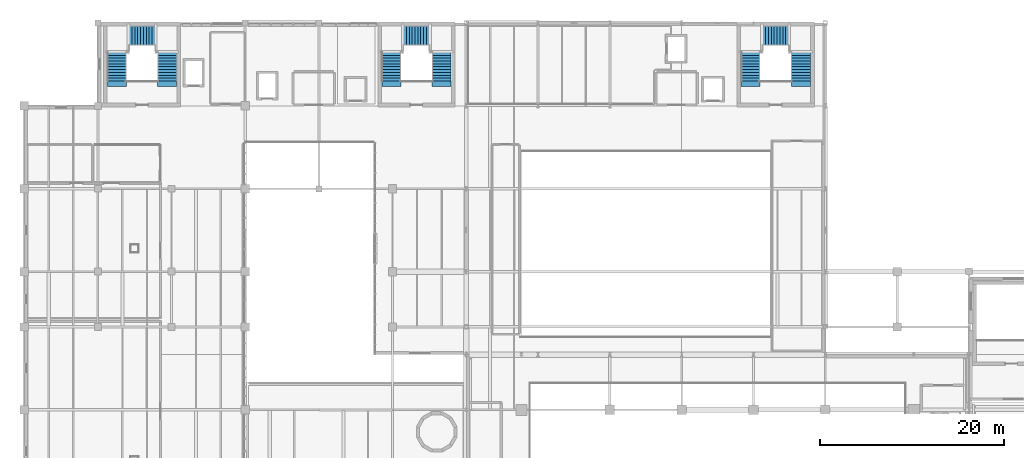
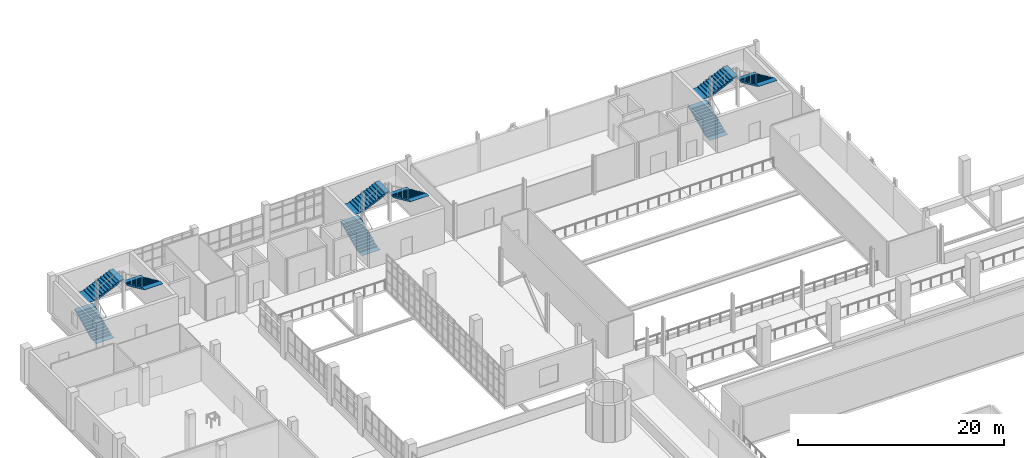
# One storey, part 81 of 85: 9 stair flights, 3 elements without a shape of their own.
"""IFC4 building model written with IfcOpenShell, lengths in metres."""

from ifc_helpers import new_model, si_unit, derived_unit, direction, frame, origin, place, context, subcontext, project, spatial, polyline, outline, extrude, material, type_object, element, aggregate, save


model = new_model("IFC4")

# Units and contexts
model_context = context("Model", 3, precision=1e-05, world=origin(), true_north=direction((0.0, 1.0)))
body_context = subcontext(model_context, "Body", "Model", "MODEL_VIEW")
ifc_project = project(units=[si_unit("LENGTHUNIT", "METRE"), si_unit("AREAUNIT", "SQUARE_METRE"), si_unit("VOLUMEUNIT", "CUBIC_METRE"), si_unit("PLANEANGLEUNIT", "RADIAN"), si_unit("MASSUNIT", "GRAM", prefix="KILO"), derived_unit("THERMALTRANSMITTANCEUNIT", [(si_unit("POWERUNIT", "WATT"), 1), (si_unit("LENGTHUNIT", "METRE"), -2), (si_unit("THERMODYNAMICTEMPERATUREUNIT", "KELVIN"), -1)])], contexts=[model_context])

# Site, building, storey
site_placement = place(None, origin())
site = spatial("IfcSite", under=ifc_project, at=site_placement, CompositionType="ELEMENT")
building_placement = place(site_placement, origin())
building = spatial("IfcBuilding", under=site, at=building_placement, Name="Nallur Shell Playhouse", CompositionType="ELEMENT")
storey_placement = place(building_placement, frame((0.0, 0.0, 19.800048828125)))
storey = spatial("IfcBuildingStorey", under=building, at=storey_placement, Name="L05", CompositionType="ELEMENT", Elevation=19.800048828125)

# Stair, stair flights
ifc_material = material(Name="Concrete M35", Category="concrete")
stair_type = type_object("IfcStairType", Name="ST-CORE-45", PredefinedType="THREE_QUARTER_TURN_STAIR", material=ifc_material)
stair_1_placement = place(storey_placement, origin())
stair_1 = element("IfcStair", 1, at=stair_1_placement, inside=storey, type_object=stair_type, Name="Core JC-4 exit stair ST-04-L05 (L05 to L06)", PredefinedType="THREE_QUARTER_TURN_STAIR")
stair_flight_type_1 = type_object("IfcStairFlightType", Name="ST-FLIGHT-208", PredefinedType="STRAIGHT", material=ifc_material)
stair_flight_1_placement = place(storey_placement, frame((94.8701171875, 76.699951171875, 0.0), z_axis=(0.0, 0.0, 1.0), x_axis=(0.0, 1.0, 0.0)))
stair_flight_1 = element("IfcStairFlight", 2, at=stair_flight_1_placement, type_object=stair_flight_type_1, Name="ST-45 flight 1", NumberOfRisers=11, NumberOfTreads=10, PredefinedType="STRAIGHT", RiserHeight=0.140625, TreadLength=0.31, context=body_context, shape_type="SweptSolid", body=[
    extrude(outline(polyline([(-0.580078125, 0.0), (-0.580078125, 0.01806640625), (0.0, 0.01806640625), (0.0, 0.140625), (0.31005859375, 0.140625), (0.31005859375, 0.28125), (0.6201171875, 0.28125), (0.6201171875, 0.421875), (0.929931640625, 0.421875), (0.929931640625, 0.5625), (1.239990234375, 0.5625), (1.239990234375, 0.703125), (1.550048828125, 0.703125), (1.550048828125, 0.84375), (1.860107421875, 0.84375), (1.860107421875, 0.984375), (2.169921875, 0.984375), (2.169921875, 1.125), (2.47998046875, 1.125), (2.47998046875, 1.265625), (2.7900390625, 1.265625), (2.7900390625, 1.40625), (3.10009765625, 1.40625), (3.10009765625, 1.546875), (3.68017578125, 1.546875), (3.68017578125, 1.52880859375), (3.10009765625, 1.230712890625), (0.38720703125, 0.0), (-0.580078125, 0.0)])), frame((0.0, 1.030029296875, 0.0), z_axis=(0.0, -1.0, 0.0), x_axis=(1.0, 0.0, 0.0)), (0.0, 0.0, 1.0), 2.06005859375),
])
stair_flight_2_placement = place(storey_placement, frame((96.205078125, 81.610107421875, 1.546875), z_axis=(0.0, 0.0, 1.0), x_axis=(1.0, 0.0, 0.0)))
stair_flight_2 = element("IfcStairFlight", 3, at=stair_flight_2_placement, type_object=stair_flight_type_1, Name="ST-45 flight 2", NumberOfRisers=10, NumberOfTreads=9, PredefinedType="STRAIGHT", RiserHeight=0.140625, TreadLength=0.31, context=body_context, shape_type="SweptSolid", body=[
    extrude(outline(polyline([(-0.580078125, 0.0), (-0.580078125, 0.01806640625), (0.0, 0.01806640625), (0.0, 0.140625), (0.31005859375, 0.140625), (0.31005859375, 0.28125), (0.6201171875, 0.28125), (0.6201171875, 0.421875), (0.929931640625, 0.421875), (0.929931640625, 0.5625), (1.239990234375, 0.5625), (1.239990234375, 0.703125), (1.550048828125, 0.703125), (1.550048828125, 0.84375), (1.860107421875, 0.84375), (1.860107421875, 0.984375), (2.169921875, 0.984375), (2.169921875, 1.125), (2.47998046875, 1.125), (2.47998046875, 1.265625), (2.7900390625, 1.265625), (2.7900390625, 1.40625), (3.3701171875, 1.40625), (3.3701171875, 1.38818359375), (2.7900390625, 1.090087890625), (0.38720703125, 0.0), (-0.580078125, 0.0)])), frame((0.0, 1.030029296875, 0.0), z_axis=(0.0, -1.0, 0.0), x_axis=(1.0, 0.0, 0.0)), (0.0, 0.0, 1.0), 2.06005859375),
])
stair_flight_3_placement = place(storey_placement, frame((100.330078125, 79.800048828125, 2.953125), z_axis=(0.0, 0.0, 1.0), x_axis=(0.0, -1.0, 0.0)))
stair_flight_3 = element("IfcStairFlight", 4, at=stair_flight_3_placement, type_object=stair_flight_type_1, Name="ST-45 flight 3", NumberOfRisers=11, NumberOfTreads=10, PredefinedType="STRAIGHT", RiserHeight=0.140625, TreadLength=0.31, context=body_context, shape_type="SweptSolid", body=[
    extrude(outline(polyline([(-0.580078125, 0.0), (-0.580078125, 0.01806640625), (0.0, 0.01806640625), (0.0, 0.140625), (0.31005859375, 0.140625), (0.31005859375, 0.28125), (0.6201171875, 0.28125), (0.6201171875, 0.421875), (0.929931640625, 0.421875), (0.929931640625, 0.5625), (1.239990234375, 0.5625), (1.239990234375, 0.703125), (1.550048828125, 0.703125), (1.550048828125, 0.84375), (1.860107421875, 0.84375), (1.860107421875, 0.984375), (2.169921875, 0.984375), (2.169921875, 1.125), (2.47998046875, 1.125), (2.47998046875, 1.265625), (2.7900390625, 1.265625), (2.7900390625, 1.40625), (3.10009765625, 1.40625), (3.10009765625, 1.546875), (3.68017578125, 1.546875), (3.68017578125, 1.52880859375), (3.10009765625, 1.230712890625), (0.38720703125, 0.0), (-0.580078125, 0.0)])), frame((0.0, 1.030029296875, 0.0), z_axis=(0.0, -1.0, 0.0), x_axis=(1.0, 0.0, 0.0)), (0.0, 0.0, 1.0), 2.06005859375),
])
aggregate(stair_1, [stair_flight_1, stair_flight_2, stair_flight_3])

stair_2_placement = place(storey_placement, origin())
stair_2 = element("IfcStair", 5, at=stair_2_placement, inside=storey, type_object=stair_type, Name="Core JC-3 exit stair ST-03-L05 (L05 to L06)", PredefinedType="THREE_QUARTER_TURN_STAIR")
stair_flight_type_2 = type_object("IfcStairFlightType", Name="ST-FLIGHT-212", PredefinedType="STRAIGHT", material=ifc_material)
stair_flight_4_placement = place(storey_placement, frame((55.8701171875, 76.699951171875, 0.0), z_axis=(0.0, 0.0, 1.0), x_axis=(0.0, 1.0, 0.0)))
stair_flight_4 = element("IfcStairFlight", 6, at=stair_flight_4_placement, type_object=stair_flight_type_2, Name="ST-45 flight 1", NumberOfRisers=11, NumberOfTreads=10, PredefinedType="STRAIGHT", RiserHeight=0.140625, TreadLength=0.31, context=body_context, shape_type="SweptSolid", body=[
    extrude(outline(polyline([(-0.580078125, 0.0), (-0.580078125, 0.01806640625), (0.0, 0.01806640625), (0.0, 0.140625), (0.31005859375, 0.140625), (0.31005859375, 0.28125), (0.6201171875, 0.28125), (0.6201171875, 0.421875), (0.929931640625, 0.421875), (0.929931640625, 0.5625), (1.239990234375, 0.5625), (1.239990234375, 0.703125), (1.550048828125, 0.703125), (1.550048828125, 0.84375), (1.860107421875, 0.84375), (1.860107421875, 0.984375), (2.169921875, 0.984375), (2.169921875, 1.125), (2.47998046875, 1.125), (2.47998046875, 1.265625), (2.7900390625, 1.265625), (2.7900390625, 1.40625), (3.10009765625, 1.40625), (3.10009765625, 1.546875), (3.68017578125, 1.546875), (3.68017578125, 1.52880859375), (3.10009765625, 1.230712890625), (0.38720703125, 0.0), (-0.580078125, 0.0)])), frame((0.0, 1.030029296875, 0.0), z_axis=(0.0, -1.0, 0.0), x_axis=(1.0, 0.0, 0.0)), (0.0, 0.0, 1.0), 2.06005859375),
])
stair_flight_5_placement = place(storey_placement, frame((57.205078125, 81.610107421875, 1.546875), z_axis=(0.0, 0.0, 1.0), x_axis=(1.0, 0.0, 0.0)))
stair_flight_5 = element("IfcStairFlight", 7, at=stair_flight_5_placement, type_object=stair_flight_type_2, Name="ST-45 flight 2", NumberOfRisers=10, NumberOfTreads=9, PredefinedType="STRAIGHT", RiserHeight=0.140625, TreadLength=0.31, context=body_context, shape_type="SweptSolid", body=[
    extrude(outline(polyline([(-0.580078125, 0.0), (-0.580078125, 0.01806640625), (0.0, 0.01806640625), (0.0, 0.140625), (0.31005859375, 0.140625), (0.31005859375, 0.28125), (0.6201171875, 0.28125), (0.6201171875, 0.421875), (0.929931640625, 0.421875), (0.929931640625, 0.5625), (1.239990234375, 0.5625), (1.239990234375, 0.703125), (1.550048828125, 0.703125), (1.550048828125, 0.84375), (1.860107421875, 0.84375), (1.860107421875, 0.984375), (2.169921875, 0.984375), (2.169921875, 1.125), (2.47998046875, 1.125), (2.47998046875, 1.265625), (2.7900390625, 1.265625), (2.7900390625, 1.40625), (3.3701171875, 1.40625), (3.3701171875, 1.38818359375), (2.7900390625, 1.090087890625), (0.38720703125, 0.0), (-0.580078125, 0.0)])), frame((0.0, 1.030029296875, 0.0), z_axis=(0.0, -1.0, 0.0), x_axis=(1.0, 0.0, 0.0)), (0.0, 0.0, 1.0), 2.06005859375),
])
stair_flight_6_placement = place(storey_placement, frame((61.330078125, 79.800048828125, 2.953125), z_axis=(0.0, 0.0, 1.0), x_axis=(0.0, -1.0, 0.0)))
stair_flight_6 = element("IfcStairFlight", 8, at=stair_flight_6_placement, type_object=stair_flight_type_2, Name="ST-45 flight 3", NumberOfRisers=11, NumberOfTreads=10, PredefinedType="STRAIGHT", RiserHeight=0.140625, TreadLength=0.31, context=body_context, shape_type="SweptSolid", body=[
    extrude(outline(polyline([(-0.580078125, 0.0), (-0.580078125, 0.01806640625), (0.0, 0.01806640625), (0.0, 0.140625), (0.31005859375, 0.140625), (0.31005859375, 0.28125), (0.6201171875, 0.28125), (0.6201171875, 0.421875), (0.929931640625, 0.421875), (0.929931640625, 0.5625), (1.239990234375, 0.5625), (1.239990234375, 0.703125), (1.550048828125, 0.703125), (1.550048828125, 0.84375), (1.860107421875, 0.84375), (1.860107421875, 0.984375), (2.169921875, 0.984375), (2.169921875, 1.125), (2.47998046875, 1.125), (2.47998046875, 1.265625), (2.7900390625, 1.265625), (2.7900390625, 1.40625), (3.10009765625, 1.40625), (3.10009765625, 1.546875), (3.68017578125, 1.546875), (3.68017578125, 1.52880859375), (3.10009765625, 1.230712890625), (0.38720703125, 0.0), (-0.580078125, 0.0)])), frame((0.0, 1.030029296875, 0.0), z_axis=(0.0, -1.0, 0.0), x_axis=(1.0, 0.0, 0.0)), (0.0, 0.0, 1.0), 2.06005859375),
])
aggregate(stair_2, [stair_flight_4, stair_flight_5, stair_flight_6])

stair_3_placement = place(storey_placement, origin())
stair_3 = element("IfcStair", 9, at=stair_3_placement, inside=storey, type_object=stair_type, Name="Core JC-6 exit stair ST-06-L05 (L05 to L06)", PredefinedType="THREE_QUARTER_TURN_STAIR")
stair_flight_7_placement = place(storey_placement, frame((26.070068359375, 76.699951171875, 0.0), z_axis=(0.0, 0.0, 1.0), x_axis=(0.0, 1.0, 0.0)))
stair_flight_7 = element("IfcStairFlight", 10, at=stair_flight_7_placement, type_object=stair_flight_type_2, Name="ST-45 flight 1", NumberOfRisers=11, NumberOfTreads=10, PredefinedType="STRAIGHT", RiserHeight=0.140625, TreadLength=0.31, context=body_context, shape_type="SweptSolid", body=[
    extrude(outline(polyline([(-0.580078125, 0.0), (-0.580078125, 0.01806640625), (0.0, 0.01806640625), (0.0, 0.140625), (0.31005859375, 0.140625), (0.31005859375, 0.28125), (0.6201171875, 0.28125), (0.6201171875, 0.421875), (0.929931640625, 0.421875), (0.929931640625, 0.5625), (1.239990234375, 0.5625), (1.239990234375, 0.703125), (1.550048828125, 0.703125), (1.550048828125, 0.84375), (1.860107421875, 0.84375), (1.860107421875, 0.984375), (2.169921875, 0.984375), (2.169921875, 1.125), (2.47998046875, 1.125), (2.47998046875, 1.265625), (2.7900390625, 1.265625), (2.7900390625, 1.40625), (3.10009765625, 1.40625), (3.10009765625, 1.546875), (3.68017578125, 1.546875), (3.68017578125, 1.52880859375), (3.10009765625, 1.230712890625), (0.38720703125, 0.0), (-0.580078125, 0.0)])), frame((0.0, 1.030029296875, 0.0), z_axis=(0.0, -1.0, 0.0), x_axis=(1.0, 0.0, 0.0)), (0.0, 0.0, 1.0), 2.06005859375),
])
stair_flight_8_placement = place(storey_placement, frame((27.405029296875, 81.610107421875, 1.546875), z_axis=(0.0, 0.0, 1.0), x_axis=(1.0, 0.0, 0.0)))
stair_flight_8 = element("IfcStairFlight", 11, at=stair_flight_8_placement, type_object=stair_flight_type_2, Name="ST-45 flight 2", NumberOfRisers=10, NumberOfTreads=9, PredefinedType="STRAIGHT", RiserHeight=0.140625, TreadLength=0.31, context=body_context, shape_type="SweptSolid", body=[
    extrude(outline(polyline([(-0.580078125, 0.0), (-0.580078125, 0.01806640625), (0.0, 0.01806640625), (0.0, 0.140625), (0.31005859375, 0.140625), (0.31005859375, 0.28125), (0.6201171875, 0.28125), (0.6201171875, 0.421875), (0.929931640625, 0.421875), (0.929931640625, 0.5625), (1.239990234375, 0.5625), (1.239990234375, 0.703125), (1.550048828125, 0.703125), (1.550048828125, 0.84375), (1.860107421875, 0.84375), (1.860107421875, 0.984375), (2.169921875, 0.984375), (2.169921875, 1.125), (2.47998046875, 1.125), (2.47998046875, 1.265625), (2.7900390625, 1.265625), (2.7900390625, 1.40625), (3.3701171875, 1.40625), (3.3701171875, 1.38818359375), (2.7900390625, 1.090087890625), (0.38720703125, 0.0), (-0.580078125, 0.0)])), frame((0.0, 1.030029296875, 0.0), z_axis=(0.0, -1.0, 0.0), x_axis=(1.0, 0.0, 0.0)), (0.0, 0.0, 1.0), 2.06005859375),
])
stair_flight_9_placement = place(storey_placement, frame((31.530029296875, 79.800048828125, 2.953125), z_axis=(0.0, 0.0, 1.0), x_axis=(0.0, -1.0, 0.0)))
stair_flight_9 = element("IfcStairFlight", 12, at=stair_flight_9_placement, type_object=stair_flight_type_2, Name="ST-45 flight 3", NumberOfRisers=11, NumberOfTreads=10, PredefinedType="STRAIGHT", RiserHeight=0.140625, TreadLength=0.31, context=body_context, shape_type="SweptSolid", body=[
    extrude(outline(polyline([(-0.580078125, 0.0), (-0.580078125, 0.01806640625), (0.0, 0.01806640625), (0.0, 0.140625), (0.31005859375, 0.140625), (0.31005859375, 0.28125), (0.6201171875, 0.28125), (0.6201171875, 0.421875), (0.929931640625, 0.421875), (0.929931640625, 0.5625), (1.239990234375, 0.5625), (1.239990234375, 0.703125), (1.550048828125, 0.703125), (1.550048828125, 0.84375), (1.860107421875, 0.84375), (1.860107421875, 0.984375), (2.169921875, 0.984375), (2.169921875, 1.125), (2.47998046875, 1.125), (2.47998046875, 1.265625), (2.7900390625, 1.265625), (2.7900390625, 1.40625), (3.10009765625, 1.40625), (3.10009765625, 1.546875), (3.68017578125, 1.546875), (3.68017578125, 1.52880859375), (3.10009765625, 1.230712890625), (0.38720703125, 0.0), (-0.580078125, 0.0)])), frame((0.0, 1.030029296875, 0.0), z_axis=(0.0, -1.0, 0.0), x_axis=(1.0, 0.0, 0.0)), (0.0, 0.0, 1.0), 2.06005859375),
])
aggregate(stair_3, [stair_flight_7, stair_flight_8, stair_flight_9])

save(model, "model.ifc")
